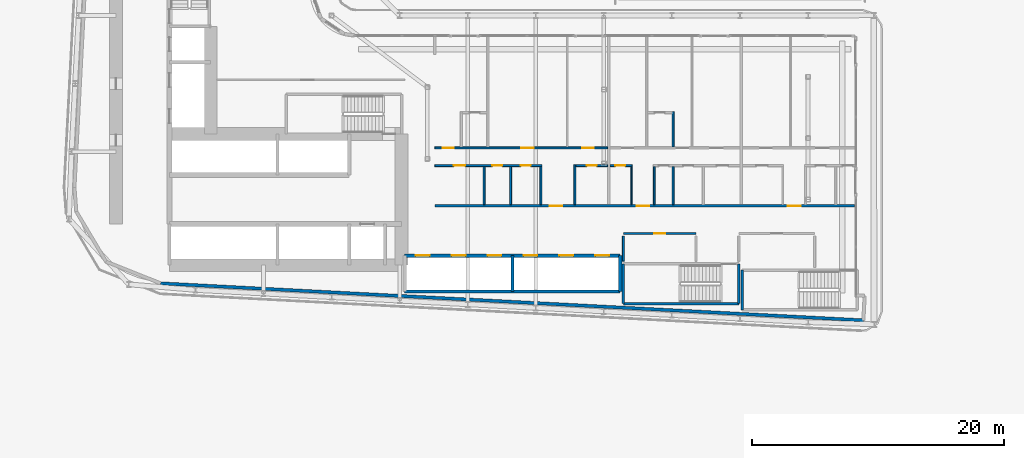
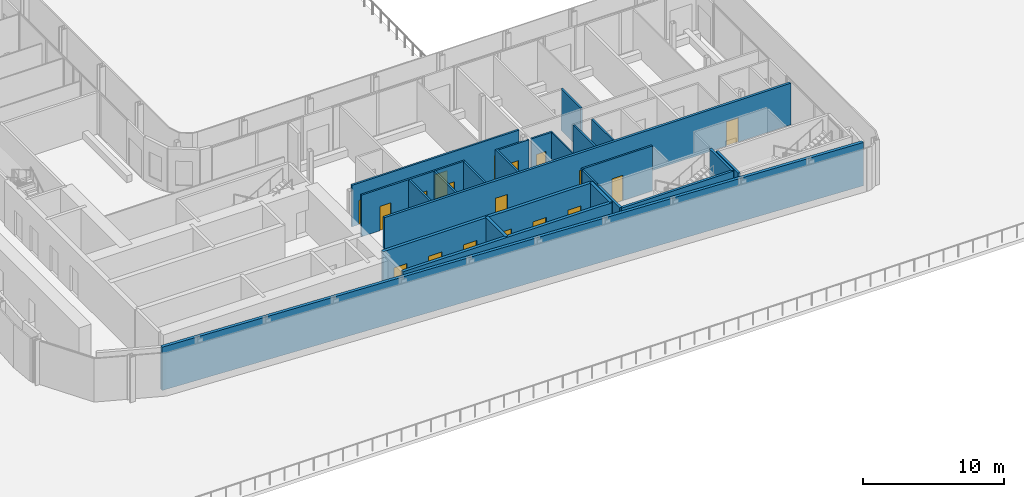
# One storey, part 14 of 27: 24 walls, 18 doors, 18 openings.
"""IFC4 building model written with IfcOpenShell, lengths in metres."""

from ifc_helpers import new_model, si_unit, direction, frame, frame_2d, origin, place, context, subcontext, project, spatial, rectangle, extrude, source, transform, mapped, material, layer, layer_set, type_object, element, fill, save


model = new_model("IFC4")

# Units and contexts
model_context = context("Model", 3, precision=1e-05, world=origin(), true_north=direction((0.0, 1.0)))
body_context = subcontext(model_context, "Body", "Model", "MODEL_VIEW")
ifc_project = project(units=[si_unit("LENGTHUNIT", "METRE"), si_unit("AREAUNIT", "SQUARE_METRE"), si_unit("VOLUMEUNIT", "CUBIC_METRE"), si_unit("PLANEANGLEUNIT", "RADIAN"), si_unit("MASSUNIT", "GRAM", prefix="KILO")], contexts=[model_context])

# Site, building, storey
site_placement = place(None, origin())
site = spatial("IfcSite", under=ifc_project, at=site_placement, CompositionType="ELEMENT")
building_placement = place(site_placement, origin())
building = spatial("IfcBuilding", under=site, at=building_placement, Name="Kheshtan School and Residences Tower", CompositionType="ELEMENT")
storey_placement = place(building_placement, frame((0.0, 0.0, 30.5)))
storey = spatial("IfcBuildingStorey", under=building, at=storey_placement, Name="L06", CompositionType="ELEMENT", Elevation=30.5)

# Wall, openings, doors
ifc_material_1 = material(Name="Gypsum board on steel studs with fire boards", Category="steel")
ifc_layer_1 = layer(ifc_material_1, 0.199951171875)
ifc_layer_set_1 = layer_set([ifc_layer_1], Name="Corridor wall 200")
wall_type_1 = type_object("IfcWallType", Name="Corridor wall 200", PredefinedType="PARTITIONING", material=ifc_layer_set_1)
wall_1_placement = place(storey_placement, frame((55.800048828125, 30.5, 0.0), z_axis=(0.0, 0.0, 1.0), x_axis=(1.0, 0.0, 0.0)))
wall_1 = element("IfcWall", 1, at=wall_1_placement, inside=storey, type_object=wall_type_1, Name="Partition L06-045", PredefinedType="PARTITIONING", context=body_context, shape_type="SweptSolid", body=[
    extrude(rectangle(XDim=33.300048828125, YDim=0.199951171875, at=frame_2d((16.64990234375, 0.0))), origin(), (0.0, 0.0, 1.0), 3.60009765625),
])
opening_1_placement = place(wall_1_placement, frame((9.10009765625, 0.0, 0.0)))
opening_1 = element("IfcOpeningElement", 2, at=opening_1_placement, cuts=wall_1, Name="Opening D06-004", PredefinedType="OPENING", context=body_context, shape_type="SweptSolid", body=[
    extrude(rectangle(XDim=1.0, YDim=2.10009765625, at=frame_2d((0.5, 1.050048828125))), frame((0.0, 0.10986328125, 0.0), z_axis=(0.0, -1.0, 0.0), x_axis=(1.0, 0.0, 0.0)), (0.0, 0.0, 1.0), 0.219970703125),
])
opening_2_placement = place(wall_1_placement, frame((16.0, 0.0, 0.0)))
opening_2 = element("IfcOpeningElement", 3, at=opening_2_placement, cuts=wall_1, Name="Opening D06-013", PredefinedType="OPENING", context=body_context, shape_type="SweptSolid", body=[
    extrude(rectangle(XDim=1.0, YDim=2.10009765625, at=frame_2d((0.5, 1.050048828125))), frame((0.0, 0.10986328125, 0.0), z_axis=(0.0, -1.0, 0.0), x_axis=(1.0, 0.0, 0.0)), (0.0, 0.0, 1.0), 0.219970703125),
])
opening_3_placement = place(wall_1_placement, frame((28.0, 0.0, 0.0)))
opening_3 = element("IfcOpeningElement", 4, at=opening_3_placement, cuts=wall_1, Name="Opening D06-021", PredefinedType="OPENING", context=body_context, shape_type="SweptSolid", body=[
    extrude(rectangle(XDim=1.0, YDim=2.10009765625, at=frame_2d((0.5, 1.050048828125))), frame((0.0, 0.10986328125, 0.0), z_axis=(0.0, -1.0, 0.0), x_axis=(1.0, 0.0, 0.0)), (0.0, 0.0, 1.0), 0.219970703125),
])
ifc_material_2 = material(Name="Steel-framed fire-resisting door leaf", Category="steel")
door_type_1 = type_object("IfcDoorType", Name="Fire door FD30S 1000 x 2100", OperationType="SINGLE_SWING_LEFT", PredefinedType="DOOR", material=ifc_material_2)
shared_shape_1 = source(origin(), body_context, "Body", "SweptSolid", [
    extrude(rectangle(XDim=1.0, YDim=2.10009765625, at=frame_2d((0.5, 1.050048828125))), frame((0.0, 0.02490234375, 0.0), z_axis=(0.0, -1.0, 0.0), x_axis=(1.0, 0.0, 0.0)), (0.0, 0.0, 1.0), 0.050048828125),
])
door_1_placement = place(opening_1_placement, origin())
door_1 = element("IfcDoor", 5, at=door_1_placement, inside=storey, type_object=door_type_1, Name="Door D06-004", OperationType="SINGLE_SWING_LEFT", OverallHeight=2.10009765625, OverallWidth=1.0, PredefinedType="DOOR", context=body_context, shape_type="MappedRepresentation", body=[
    mapped(shared_shape_1, transform((0.0, 0.0, 0.0), x_axis=(1.0, 0.0, 0.0), y_axis=(0.0, 1.0, 0.0), z_axis=(0.0, 0.0, 1.0), scale=1.0)),
])
fill(opening_1, door_1)
door_2_placement = place(opening_2_placement, origin())
door_2 = element("IfcDoor", 6, at=door_2_placement, inside=storey, type_object=door_type_1, Name="Door D06-013", OperationType="SINGLE_SWING_RIGHT", OverallHeight=2.10009765625, OverallWidth=1.0, PredefinedType="DOOR", context=body_context, shape_type="MappedRepresentation", body=[
    mapped(shared_shape_1, transform((0.0, 0.0, 0.0), x_axis=(1.0, 0.0, 0.0), y_axis=(0.0, 1.0, 0.0), z_axis=(0.0, 0.0, 1.0), scale=1.0)),
])
fill(opening_2, door_2)
door_3_placement = place(opening_3_placement, origin())
door_3 = element("IfcDoor", 7, at=door_3_placement, inside=storey, type_object=door_type_1, Name="Door D06-021", OperationType="SINGLE_SWING_RIGHT", OverallHeight=2.10009765625, OverallWidth=1.0, PredefinedType="DOOR", context=body_context, shape_type="MappedRepresentation", body=[
    mapped(shared_shape_1, transform((0.0, 0.0, 0.0), x_axis=(1.0, 0.0, 0.0), y_axis=(0.0, 1.0, 0.0), z_axis=(0.0, 0.0, 1.0), scale=1.0)),
])
fill(opening_3, door_3)

# Walls
ifc_material_3 = material(Name="Concrete C40/50 with ceramic cladding and mineral wool insulation", Category="concrete")
ifc_layer_2 = layer(ifc_material_3, 0.25)
ifc_layer_set_2 = layer_set([ifc_layer_2], Name="External wall 250 ceramic clad")
wall_type_2 = type_object("IfcWallType", Name="External wall 250 ceramic clad", PredefinedType="SOLIDWALL", material=ifc_layer_set_2)
wall_2_placement = place(storey_placement, frame((89.785888671875, 21.4189453125, 0.0), z_axis=(0.0, 0.0, 1.0), x_axis=(-0.998617793089, 0.052559521752, 0.0)))
element("IfcWall", 8, at=wall_2_placement, inside=storey, type_object=wall_type_2, Name="External wall L06 16", PredefinedType="SOLIDWALL", context=body_context, shape_type="SweptSolid", body=[
    extrude(rectangle(XDim=55.823974609375, YDim=0.25, at=frame_2d((27.912109375, 0.0))), origin(), (0.0, 0.0, 1.0), 3.75),
])
ifc_material_4 = material(Name="Gypsum board on steel studs", Category="steel")
ifc_layer_3 = layer(ifc_material_4, 0.10009765625)
ifc_layer_set_3 = layer_set([ifc_layer_3], Name="Gypsum partition 100")
wall_type_3 = type_object("IfcWallType", Name="Gypsum partition 100", PredefinedType="PARTITIONING", material=ifc_layer_set_3)
wall_3_placement = place(storey_placement, frame((71.39990234375, 30.60009765625, 0.0), z_axis=(0.0, 0.0, 1.0), x_axis=(0.0, 1.0, 0.0)))
element("IfcWall", 9, at=wall_3_placement, inside=storey, type_object=wall_type_3, Name="Partition L06-061", PredefinedType="PARTITIONING", context=body_context, shape_type="SweptSolid", body=[
    extrude(rectangle(XDim=3.02490234375, YDim=0.10009765625, at=frame_2d((1.512451171875, 0.0))), origin(), (0.0, 0.0, 1.0), 3.60009765625),
])

# Wall, opening, door
ifc_material_5 = material(Name="Fire-board shaft wall system")
ifc_layer_4 = layer(ifc_material_5, 0.14990234375)
ifc_layer_set_4 = layer_set([ifc_layer_4], Name="Service room wall 150")
wall_type_4 = type_object("IfcWallType", Name="Service room wall 150", PredefinedType="PARTITIONING", material=ifc_layer_set_4)
wall_4_placement = place(storey_placement, frame((70.75, 28.300048828125, 0.0), z_axis=(0.0, 0.0, 1.0), x_axis=(1.0, 0.0, 0.0)))
wall_4 = element("IfcWall", 10, at=wall_4_placement, inside=storey, type_object=wall_type_4, Name="Service room wall", PredefinedType="PARTITIONING", context=body_context, shape_type="SweptSolid", body=[
    extrude(rectangle(XDim=5.760009765625, YDim=0.14990234375, at=frame_2d((2.8798828125, 0.0))), origin(), (0.0, 0.0, 1.0), 3.89990234375),
])
opening_4_placement = place(wall_4_placement, frame((2.429931640625, 0.0, 0.0)))
opening_4 = element("IfcOpeningElement", 11, at=opening_4_placement, cuts=wall_4, Name="Opening SR90", PredefinedType="OPENING", context=body_context, shape_type="SweptSolid", body=[
    extrude(rectangle(XDim=0.89990234375, YDim=2.199951171875, at=frame_2d((0.449951171875, 1.10009765625))), frame((0.0, 0.0849609375, 0.0), z_axis=(0.0, -1.0, 0.0), x_axis=(1.0, 0.0, 0.0)), (0.0, 0.0, 1.0), 0.169921875),
])
ifc_material_6 = material(Name="Steel door leaf, galvanised", Category="steel")
door_type_2 = type_object("IfcDoorType", Name="Service room door 900 steel 90 min", OperationType="SINGLE_SWING_LEFT", PredefinedType="DOOR", material=ifc_material_6)
shared_shape_2 = source(origin(), body_context, "Body", "SweptSolid", [
    extrude(rectangle(XDim=0.89990234375, YDim=2.199951171875, at=frame_2d((0.449951171875, 1.10009765625))), frame((0.0, 0.02490234375, 0.0), z_axis=(0.0, -1.0, 0.0), x_axis=(1.0, 0.0, 0.0)), (0.0, 0.0, 1.0), 0.050048828125),
])
door_4_placement = place(opening_4_placement, origin())
door_4 = element("IfcDoor", 12, at=door_4_placement, inside=storey, type_object=door_type_2, Name="Service room door", OperationType="SINGLE_SWING_LEFT", OverallHeight=2.199951171875, OverallWidth=0.89990234375, PredefinedType="DOOR", context=body_context, shape_type="MappedRepresentation", body=[
    mapped(shared_shape_2, transform((0.0, 0.0, 0.0), x_axis=(1.0, 0.0, 0.0), y_axis=(0.0, 1.0, 0.0), z_axis=(0.0, 0.0, 1.0), scale=1.0)),
])
fill(opening_4, door_4)

# Walls
wall_5_placement = place(storey_placement, frame((70.75, 26.1201171875, 0.0), z_axis=(0.0, 0.0, 1.0), x_axis=(0.0, 1.0, 0.0)))
element("IfcWall", 13, at=wall_5_placement, inside=storey, type_object=wall_type_4, Name="Service room wall", PredefinedType="PARTITIONING", context=body_context, shape_type="SweptSolid", body=[
    extrude(rectangle(XDim=1.98486328125, YDim=0.14990234375, at=frame_2d((0.992431640625, 0.0))), origin(), (0.0, 0.0, 1.0), 3.89990234375),
])
ifc_layer_5 = layer(ifc_material_5, 0.25)
ifc_layer_set_5 = layer_set([ifc_layer_5], Name="Shaft lining wall 250")
wall_type_5 = type_object("IfcWallType", Name="Shaft lining wall 250", PredefinedType="PARTITIONING", material=ifc_layer_set_5)
for number, where, z_axis, x_axis, name in (
    (14, (61.949951171875, 23.699951171875, 0.0), (0.0, 0.0, 1.0), (0.0, 1.0, 0.0), "Shaft lining wall"),
    (15, (70.5, 23.699951171875, 0.0), (0.0, 0.0, 1.0), (0.0, 1.0, 0.0), "Shaft lining wall"),
):
    element("IfcWall", number, at=place(storey_placement, frame(where, z_axis=z_axis, x_axis=x_axis)), inside=storey, type_object=wall_type_5, Name=name, PredefinedType="PARTITIONING", context=body_context, shape_type="SweptSolid", body=[
        extrude(rectangle(XDim=2.85009765625, YDim=0.25, at=frame_2d((1.425048828125, 0.0))), origin(), (0.0, 0.0, 1.0), 3.89990234375),
    ])
wall_6_placement = place(storey_placement, frame((53.39990234375, 23.699951171875, 0.0), z_axis=(0.0, 0.0, 1.0), x_axis=(1.0, 0.0, 0.0)))
element("IfcWall", 16, at=wall_6_placement, inside=storey, type_object=wall_type_5, Name="Shaft lining wall", PredefinedType="PARTITIONING", context=body_context, shape_type="SweptSolid", body=[
    extrude(rectangle(XDim=17.10009765625, YDim=0.25, at=frame_2d((8.550048828125, 0.0))), origin(), (0.0, 0.0, 1.0), 3.89990234375),
])

# Wall, openings, doors
wall_7_placement = place(storey_placement, frame((53.39990234375, 26.550048828125, 0.0), z_axis=(0.0, 0.0, 1.0), x_axis=(1.0, 0.0, 0.0)))
wall_7 = element("IfcWall", 17, at=wall_7_placement, inside=storey, type_object=wall_type_5, Name="Shaft lining wall", PredefinedType="PARTITIONING", context=body_context, shape_type="SweptSolid", body=[
    extrude(rectangle(XDim=17.10009765625, YDim=0.25, at=frame_2d((8.550048828125, 0.0))), origin(), (0.0, 0.0, 1.0), 3.89990234375),
])
opening_5_placement = place(wall_7_placement, frame((0.875, 0.0, 0.0)))
opening_5 = element("IfcOpeningElement", 18, at=opening_5_placement, cuts=wall_7, Name="Opening LD", PredefinedType="OPENING", context=body_context, shape_type="SweptSolid", body=[
    extrude(rectangle(XDim=1.10009765625, YDim=2.199951171875, at=frame_2d((0.550048828125, 1.10009765625))), frame((0.0, 0.135009765625, 0.0), z_axis=(0.0, -1.0, 0.0), x_axis=(1.0, 0.0, 0.0)), (0.0, 0.0, 1.0), 0.27001953125),
])
opening_6_placement = place(wall_7_placement, frame((3.72509765625, 0.0, 0.0)))
opening_6 = element("IfcOpeningElement", 19, at=opening_6_placement, cuts=wall_7, Name="Opening LD", PredefinedType="OPENING", context=body_context, shape_type="SweptSolid", body=[
    extrude(rectangle(XDim=1.10009765625, YDim=2.199951171875, at=frame_2d((0.550048828125, 1.10009765625))), frame((0.0, 0.135009765625, 0.0), z_axis=(0.0, -1.0, 0.0), x_axis=(1.0, 0.0, 0.0)), (0.0, 0.0, 1.0), 0.27001953125),
])
opening_7_placement = place(wall_7_placement, frame((6.574951171875, 0.0, 0.0)))
opening_7 = element("IfcOpeningElement", 20, at=opening_7_placement, cuts=wall_7, Name="Opening LD", PredefinedType="OPENING", context=body_context, shape_type="SweptSolid", body=[
    extrude(rectangle(XDim=1.10009765625, YDim=2.199951171875, at=frame_2d((0.550048828125, 1.10009765625))), frame((0.0, 0.135009765625, 0.0), z_axis=(0.0, -1.0, 0.0), x_axis=(1.0, 0.0, 0.0)), (0.0, 0.0, 1.0), 0.27001953125),
])
opening_8_placement = place(wall_7_placement, frame((9.425048828125, 0.0, 0.0)))
opening_8 = element("IfcOpeningElement", 21, at=opening_8_placement, cuts=wall_7, Name="Opening LD", PredefinedType="OPENING", context=body_context, shape_type="SweptSolid", body=[
    extrude(rectangle(XDim=1.10009765625, YDim=2.199951171875, at=frame_2d((0.550048828125, 1.10009765625))), frame((0.0, 0.135009765625, 0.0), z_axis=(0.0, -1.0, 0.0), x_axis=(1.0, 0.0, 0.0)), (0.0, 0.0, 1.0), 0.27001953125),
])
opening_9_placement = place(wall_7_placement, frame((12.27490234375, 0.0, 0.0)))
opening_9 = element("IfcOpeningElement", 22, at=opening_9_placement, cuts=wall_7, Name="Opening LD", PredefinedType="OPENING", context=body_context, shape_type="SweptSolid", body=[
    extrude(rectangle(XDim=1.10009765625, YDim=2.199951171875, at=frame_2d((0.550048828125, 1.10009765625))), frame((0.0, 0.135009765625, 0.0), z_axis=(0.0, -1.0, 0.0), x_axis=(1.0, 0.0, 0.0)), (0.0, 0.0, 1.0), 0.27001953125),
])
opening_10_placement = place(wall_7_placement, frame((15.125, 0.0, 0.0)))
opening_10 = element("IfcOpeningElement", 23, at=opening_10_placement, cuts=wall_7, Name="Opening LD", PredefinedType="OPENING", context=body_context, shape_type="SweptSolid", body=[
    extrude(rectangle(XDim=1.10009765625, YDim=2.199951171875, at=frame_2d((0.550048828125, 1.10009765625))), frame((0.0, 0.135009765625, 0.0), z_axis=(0.0, -1.0, 0.0), x_axis=(1.0, 0.0, 0.0)), (0.0, 0.0, 1.0), 0.27001953125),
])
ifc_material_7 = material(Name="Stainless steel door leaves", Category="steel")
door_type_3 = type_object("IfcDoorType", Name="Lift landing door 1100", OperationType="SLIDING_TO_LEFT", PredefinedType="DOOR", material=ifc_material_7)
shared_shape_3 = source(origin(), body_context, "Body", "SweptSolid", [
    extrude(rectangle(XDim=1.10009765625, YDim=2.199951171875, at=frame_2d((0.550048828125, 1.10009765625))), frame((0.0, 0.02490234375, 0.0), z_axis=(0.0, -1.0, 0.0), x_axis=(1.0, 0.0, 0.0)), (0.0, 0.0, 1.0), 0.050048828125),
])
door_5_placement = place(opening_5_placement, origin())
door_5 = element("IfcDoor", 24, at=door_5_placement, inside=storey, type_object=door_type_3, Name="Lift P1 landing door", OperationType="SLIDING_TO_LEFT", OverallHeight=2.199951171875, OverallWidth=1.10009765625, PredefinedType="DOOR", context=body_context, shape_type="MappedRepresentation", body=[
    mapped(shared_shape_3, transform((0.0, 0.0, 0.0), x_axis=(1.0, 0.0, 0.0), y_axis=(0.0, 1.0, 0.0), z_axis=(0.0, 0.0, 1.0), scale=1.0)),
])
fill(opening_5, door_5)
door_6_placement = place(opening_6_placement, origin())
door_6 = element("IfcDoor", 25, at=door_6_placement, inside=storey, type_object=door_type_3, Name="Lift P2 landing door", OperationType="SLIDING_TO_LEFT", OverallHeight=2.199951171875, OverallWidth=1.10009765625, PredefinedType="DOOR", context=body_context, shape_type="MappedRepresentation", body=[
    mapped(shared_shape_3, transform((0.0, 0.0, 0.0), x_axis=(1.0, 0.0, 0.0), y_axis=(0.0, 1.0, 0.0), z_axis=(0.0, 0.0, 1.0), scale=1.0)),
])
fill(opening_6, door_6)
door_7_placement = place(opening_7_placement, origin())
door_7 = element("IfcDoor", 26, at=door_7_placement, inside=storey, type_object=door_type_3, Name="Lift P3 landing door", OperationType="SLIDING_TO_LEFT", OverallHeight=2.199951171875, OverallWidth=1.10009765625, PredefinedType="DOOR", context=body_context, shape_type="MappedRepresentation", body=[
    mapped(shared_shape_3, transform((0.0, 0.0, 0.0), x_axis=(1.0, 0.0, 0.0), y_axis=(0.0, 1.0, 0.0), z_axis=(0.0, 0.0, 1.0), scale=1.0)),
])
fill(opening_7, door_7)
door_8_placement = place(opening_8_placement, origin())
door_8 = element("IfcDoor", 27, at=door_8_placement, inside=storey, type_object=door_type_3, Name="Lift P4 landing door", OperationType="SLIDING_TO_LEFT", OverallHeight=2.199951171875, OverallWidth=1.10009765625, PredefinedType="DOOR", context=body_context, shape_type="MappedRepresentation", body=[
    mapped(shared_shape_3, transform((0.0, 0.0, 0.0), x_axis=(1.0, 0.0, 0.0), y_axis=(0.0, 1.0, 0.0), z_axis=(0.0, 0.0, 1.0), scale=1.0)),
])
fill(opening_8, door_8)
door_9_placement = place(opening_9_placement, origin())
door_9 = element("IfcDoor", 28, at=door_9_placement, inside=storey, type_object=door_type_3, Name="Lift P5 landing door", OperationType="SLIDING_TO_LEFT", OverallHeight=2.199951171875, OverallWidth=1.10009765625, PredefinedType="DOOR", context=body_context, shape_type="MappedRepresentation", body=[
    mapped(shared_shape_3, transform((0.0, 0.0, 0.0), x_axis=(1.0, 0.0, 0.0), y_axis=(0.0, 1.0, 0.0), z_axis=(0.0, 0.0, 1.0), scale=1.0)),
])
fill(opening_9, door_9)
door_10_placement = place(opening_10_placement, origin())
door_10 = element("IfcDoor", 29, at=door_10_placement, inside=storey, type_object=door_type_3, Name="Lift P6 landing door", OperationType="SLIDING_TO_LEFT", OverallHeight=2.199951171875, OverallWidth=1.10009765625, PredefinedType="DOOR", context=body_context, shape_type="MappedRepresentation", body=[
    mapped(shared_shape_3, transform((0.0, 0.0, 0.0), x_axis=(1.0, 0.0, 0.0), y_axis=(0.0, 1.0, 0.0), z_axis=(0.0, 0.0, 1.0), scale=1.0)),
])
fill(opening_10, door_10)

# Walls
ifc_material_8 = material(Name="Concrete C40/50", Category="concrete")
ifc_layer_6 = layer(ifc_material_8, 0.199951171875)
ifc_layer_set_6 = layer_set([ifc_layer_6], Name="Stair enclosure wall 200 Concrete C40/50")
wall_type_6 = type_object("IfcWallType", Name="Stair enclosure wall 200 Concrete C40/50", PredefinedType="SHEAR", material=ifc_layer_set_6)
wall_8_placement = place(storey_placement, frame((80.159912109375, 22.25, 0.0), z_axis=(0.0, 0.0, 1.0), x_axis=(0.0, 1.0, 0.0)))
element("IfcWall", 30, at=wall_8_placement, inside=storey, type_object=wall_type_6, Name="Stair enclosure wall ST4", PredefinedType="SHEAR", context=body_context, shape_type="SweptSolid", body=[
    extrude(rectangle(XDim=3.14990234375, YDim=0.199951171875, at=frame_2d((1.574951171875, 0.0))), origin(), (0.0, 0.0, 1.0), 3.89990234375),
])
wall_9_placement = place(storey_placement, frame((70.75, 22.75, 0.0), z_axis=(0.0, 0.0, 1.0), x_axis=(1.0, 0.0, 0.0)))
element("IfcWall", 31, at=wall_9_placement, inside=storey, type_object=wall_type_6, Name="Stair enclosure wall ST5", PredefinedType="SHEAR", context=body_context, shape_type="SweptSolid", body=[
    extrude(rectangle(XDim=9.159912109375, YDim=0.199951171875, at=frame_2d((4.580078125, 0.0))), origin(), (0.0, 0.0, 1.0), 3.89990234375),
])
for number, where, z_axis, x_axis, name in (
    (32, (70.75, 22.75, 0.0), (0.0, 0.0, 1.0), (0.0, 1.0, 0.0), "Stair enclosure wall ST5"),
    (33, (79.909912109375, 22.75, 0.0), (0.0, 0.0, 1.0), (0.0, 1.0, 0.0), "Stair enclosure wall ST5"),
):
    element("IfcWall", number, at=place(storey_placement, frame(where, z_axis=z_axis, x_axis=x_axis)), inside=storey, type_object=wall_type_6, Name=name, PredefinedType="SHEAR", context=body_context, shape_type="SweptSolid", body=[
        extrude(rectangle(XDim=3.14990234375, YDim=0.199951171875, at=frame_2d((1.574951171875, 0.0))), origin(), (0.0, 0.0, 1.0), 3.89990234375),
    ])

# Wall, openings, doors
ifc_material_9 = material(Name="Moisture-resistant gypsum board on steel studs", Category="steel")
ifc_layer_7 = layer(ifc_material_9, 0.14990234375)
ifc_layer_set_7 = layer_set([ifc_layer_7], Name="Wet-room partition 150")
wall_type_7 = type_object("IfcWallType", Name="Wet-room partition 150", PredefinedType="PARTITIONING", material=ifc_layer_set_7)
wall_10_placement = place(storey_placement, frame((55.800048828125, 33.699951171875, 0.0), z_axis=(0.0, 0.0, 1.0), x_axis=(1.0, 0.0, 0.0)))
wall_10 = element("IfcWall", 34, at=wall_10_placement, inside=storey, type_object=wall_type_7, Name="Partition L06-046", PredefinedType="PARTITIONING", context=body_context, shape_type="SweptSolid", body=[
    extrude(rectangle(XDim=8.474853515625, YDim=0.14990234375, at=frame_2d((4.2373046875, 0.0))), origin(), (0.0, 0.0, 1.0), 3.60009765625),
])
opening_11_placement = place(wall_10_placement, frame((1.5, 0.0, 0.0)))
opening_11 = element("IfcOpeningElement", 35, at=opening_11_placement, cuts=wall_10, Name="Opening D06-005", PredefinedType="OPENING", context=body_context, shape_type="SweptSolid", body=[
    extrude(rectangle(XDim=0.89990234375, YDim=2.10009765625, at=frame_2d((0.449951171875, 1.050048828125))), frame((0.0, 0.0849609375, 0.0), z_axis=(0.0, -1.0, 0.0), x_axis=(1.0, 0.0, 0.0)), (0.0, 0.0, 1.0), 0.169921875),
])
opening_12_placement = place(wall_10_placement, frame((6.800048828125, 0.0, 0.0)))
opening_12 = element("IfcOpeningElement", 36, at=opening_12_placement, cuts=wall_10, Name="Opening D06-006", PredefinedType="OPENING", context=body_context, shape_type="SweptSolid", body=[
    extrude(rectangle(XDim=0.800048828125, YDim=2.10009765625, at=frame_2d((0.39990234375, 1.050048828125))), frame((0.0, 0.0849609375, 0.0), z_axis=(0.0, -1.0, 0.0), x_axis=(1.0, 0.0, 0.0)), (0.0, 0.0, 1.0), 0.169921875),
])
opening_13_placement = place(wall_10_placement, frame((4.550048828125, 0.0, 0.0)))
opening_13 = element("IfcOpeningElement", 37, at=opening_13_placement, cuts=wall_10, Name="Opening D06-009", PredefinedType="OPENING", context=body_context, shape_type="SweptSolid", body=[
    extrude(rectangle(XDim=0.800048828125, YDim=2.10009765625, at=frame_2d((0.39990234375, 1.050048828125))), frame((0.0, 0.0849609375, 0.0), z_axis=(0.0, -1.0, 0.0), x_axis=(1.0, 0.0, 0.0)), (0.0, 0.0, 1.0), 0.169921875),
])
ifc_material_10 = material(Name="Veneered timber door leaf", Category="wood")
door_type_4 = type_object("IfcDoorType", Name="Door 800 x 2100", OperationType="SINGLE_SWING_LEFT", PredefinedType="DOOR", material=ifc_material_10)
shared_shape_4 = source(origin(), body_context, "Body", "SweptSolid", [
    extrude(rectangle(XDim=0.800048828125, YDim=2.10009765625, at=frame_2d((0.39990234375, 1.050048828125))), frame((0.0, 0.02490234375, 0.0), z_axis=(0.0, -1.0, 0.0), x_axis=(1.0, 0.0, 0.0)), (0.0, 0.0, 1.0), 0.050048828125),
])
door_11_placement = place(opening_12_placement, origin())
door_11 = element("IfcDoor", 38, at=door_11_placement, inside=storey, type_object=door_type_4, Name="Door D06-006", OperationType="SINGLE_SWING_LEFT", OverallHeight=2.10009765625, OverallWidth=0.800048828125, PredefinedType="DOOR", context=body_context, shape_type="MappedRepresentation", body=[
    mapped(shared_shape_4, transform((0.0, 0.0, 0.0), x_axis=(1.0, 0.0, 0.0), y_axis=(0.0, 1.0, 0.0), z_axis=(0.0, 0.0, 1.0), scale=1.0)),
])
fill(opening_12, door_11)
door_12_placement = place(opening_13_placement, origin())
door_12 = element("IfcDoor", 39, at=door_12_placement, inside=storey, type_object=door_type_4, Name="Door D06-009", OperationType="SINGLE_SWING_LEFT", OverallHeight=2.10009765625, OverallWidth=0.800048828125, PredefinedType="DOOR", context=body_context, shape_type="MappedRepresentation", body=[
    mapped(shared_shape_4, transform((0.0, 0.0, 0.0), x_axis=(1.0, 0.0, 0.0), y_axis=(0.0, 1.0, 0.0), z_axis=(0.0, 0.0, 1.0), scale=1.0)),
])
fill(opening_13, door_12)
door_type_5 = type_object("IfcDoorType", Name="Door 900 x 2100", OperationType="SINGLE_SWING_LEFT", PredefinedType="DOOR", material=ifc_material_10)
shared_shape_5 = source(origin(), body_context, "Body", "SweptSolid", [
    extrude(rectangle(XDim=0.89990234375, YDim=2.10009765625, at=frame_2d((0.449951171875, 1.050048828125))), frame((0.0, 0.02490234375, 0.0), z_axis=(0.0, -1.0, 0.0), x_axis=(1.0, 0.0, 0.0)), (0.0, 0.0, 1.0), 0.050048828125),
])
door_13_placement = place(opening_11_placement, origin())
door_13 = element("IfcDoor", 40, at=door_13_placement, inside=storey, type_object=door_type_5, Name="Door D06-005", OperationType="SINGLE_SWING_LEFT", OverallHeight=2.10009765625, OverallWidth=0.89990234375, PredefinedType="DOOR", context=body_context, shape_type="MappedRepresentation", body=[
    mapped(shared_shape_5, transform((0.0, 0.0, 0.0), x_axis=(1.0, 0.0, 0.0), y_axis=(0.0, 1.0, 0.0), z_axis=(0.0, 0.0, 1.0), scale=1.0)),
])
fill(opening_11, door_13)

wall_11_placement = place(storey_placement, frame((55.800048828125, 35.10009765625, 0.0), z_axis=(0.0, 0.0, 1.0), x_axis=(1.0, 0.0, 0.0)))
wall_11 = element("IfcWall", 41, at=wall_11_placement, inside=storey, type_object=wall_type_7, Name="Partition L06-047", PredefinedType="PARTITIONING", context=body_context, shape_type="SweptSolid", body=[
    extrude(rectangle(XDim=13.699951171875, YDim=0.14990234375, at=frame_2d((6.85009765625, 0.0))), origin(), (0.0, 0.0, 1.0), 3.60009765625),
])
opening_14_placement = place(wall_11_placement, frame((11.699951171875, 0.0, 0.0)))
opening_14 = element("IfcOpeningElement", 42, at=opening_14_placement, cuts=wall_11, Name="Opening D06-002", PredefinedType="OPENING", context=body_context, shape_type="SweptSolid", body=[
    extrude(rectangle(XDim=0.89990234375, YDim=2.10009765625, at=frame_2d((0.449951171875, 1.050048828125))), frame((0.0, 0.0849609375, 0.0), z_axis=(0.0, -1.0, 0.0), x_axis=(1.0, 0.0, 0.0)), (0.0, 0.0, 1.0), 0.169921875),
])
opening_15_placement = place(wall_11_placement, frame((6.85009765625, 0.0, 0.0)))
opening_15 = element("IfcOpeningElement", 43, at=opening_15_placement, cuts=wall_11, Name="Opening D06-007", PredefinedType="OPENING", context=body_context, shape_type="SweptSolid", body=[
    extrude(rectangle(XDim=1.0, YDim=2.10009765625, at=frame_2d((0.5, 1.050048828125))), frame((0.0, 0.0849609375, 0.0), z_axis=(0.0, -1.0, 0.0), x_axis=(1.0, 0.0, 0.0)), (0.0, 0.0, 1.0), 0.169921875),
])
opening_16_placement = place(wall_11_placement, frame((0.60009765625, 0.0, 0.0)))
opening_16 = element("IfcOpeningElement", 44, at=opening_16_placement, cuts=wall_11, Name="Opening D06-008", PredefinedType="OPENING", context=body_context, shape_type="SweptSolid", body=[
    extrude(rectangle(XDim=0.89990234375, YDim=2.10009765625, at=frame_2d((0.449951171875, 1.050048828125))), frame((0.0, 0.0849609375, 0.0), z_axis=(0.0, -1.0, 0.0), x_axis=(1.0, 0.0, 0.0)), (0.0, 0.0, 1.0), 0.169921875),
])
door_type_6 = type_object("IfcDoorType", Name="Door 1000 x 2100", OperationType="SINGLE_SWING_LEFT", PredefinedType="DOOR", material=ifc_material_10)
shared_shape_6 = source(origin(), body_context, "Body", "SweptSolid", [
    extrude(rectangle(XDim=1.0, YDim=2.10009765625, at=frame_2d((0.5, 1.050048828125))), frame((0.0, 0.02490234375, 0.0), z_axis=(0.0, -1.0, 0.0), x_axis=(1.0, 0.0, 0.0)), (0.0, 0.0, 1.0), 0.050048828125),
])
door_14_placement = place(opening_15_placement, origin())
door_14 = element("IfcDoor", 45, at=door_14_placement, inside=storey, type_object=door_type_6, Name="Door D06-007", OperationType="SINGLE_SWING_LEFT", OverallHeight=2.10009765625, OverallWidth=1.0, PredefinedType="DOOR", context=body_context, shape_type="MappedRepresentation", body=[
    mapped(shared_shape_6, transform((0.0, 0.0, 0.0), x_axis=(1.0, 0.0, 0.0), y_axis=(0.0, 1.0, 0.0), z_axis=(0.0, 0.0, 1.0), scale=1.0)),
])
fill(opening_15, door_14)
door_15_placement = place(opening_14_placement, origin())
door_15 = element("IfcDoor", 46, at=door_15_placement, inside=storey, type_object=door_type_5, Name="Door D06-002", OperationType="SINGLE_SWING_LEFT", OverallHeight=2.10009765625, OverallWidth=0.89990234375, PredefinedType="DOOR", context=body_context, shape_type="MappedRepresentation", body=[
    mapped(shared_shape_5, transform((0.0, 0.0, 0.0), x_axis=(1.0, 0.0, 0.0), y_axis=(0.0, 1.0, 0.0), z_axis=(0.0, 0.0, 1.0), scale=1.0)),
])
fill(opening_14, door_15)
door_16_placement = place(opening_16_placement, origin())
door_16 = element("IfcDoor", 47, at=door_16_placement, inside=storey, type_object=door_type_5, Name="Door D06-008", OperationType="SINGLE_SWING_LEFT", OverallHeight=2.10009765625, OverallWidth=0.89990234375, PredefinedType="DOOR", context=body_context, shape_type="MappedRepresentation", body=[
    mapped(shared_shape_5, transform((0.0, 0.0, 0.0), x_axis=(1.0, 0.0, 0.0), y_axis=(0.0, 1.0, 0.0), z_axis=(0.0, 0.0, 1.0), scale=1.0)),
])
fill(opening_16, door_16)

# Walls
for number, where, z_axis, x_axis, name in (
    (48, (59.699951171875, 30.60009765625, 0.0), (0.0, 0.0, 1.0), (0.0, 1.0, 0.0), "Partition L06-051"),
    (49, (61.800048828125, 30.60009765625, 0.0), (0.0, 0.0, 1.0), (0.0, 1.0, 0.0), "Partition L06-053"),
    (50, (64.199951171875, 30.60009765625, 0.0), (0.0, 0.0, 1.0), (0.0, 1.0, 0.0), "Partition L06-054"),
):
    element("IfcWall", number, at=place(storey_placement, frame(where, z_axis=z_axis, x_axis=x_axis)), inside=storey, type_object=wall_type_7, Name=name, PredefinedType="PARTITIONING", context=body_context, shape_type="SweptSolid", body=[
        extrude(rectangle(XDim=3.02490234375, YDim=0.14990234375, at=frame_2d((1.512451171875, 0.0))), origin(), (0.0, 0.0, 1.0), 3.60009765625),
    ])
wall_12_placement = place(storey_placement, frame((66.89990234375, 30.60009765625, 0.0), z_axis=(0.0, 0.0, 1.0), x_axis=(0.0, 1.0, 0.0)))
element("IfcWall", 51, at=wall_12_placement, inside=storey, type_object=wall_type_7, Name="Partition L06-056", PredefinedType="PARTITIONING", context=body_context, shape_type="SweptSolid", body=[
    extrude(rectangle(XDim=3.1748046875, YDim=0.14990234375, at=frame_2d((1.58740234375, 0.0))), origin(), (0.0, 0.0, 1.0), 3.60009765625),
])

# Wall, opening, door
wall_13_placement = place(storey_placement, frame((66.97509765625, 33.699951171875, 0.0), z_axis=(0.0, 0.0, 1.0), x_axis=(1.0, 0.0, 0.0)))
wall_13 = element("IfcWall", 52, at=wall_13_placement, inside=storey, type_object=wall_type_7, Name="Partition L06-057", PredefinedType="PARTITIONING", context=body_context, shape_type="SweptSolid", body=[
    extrude(rectangle(XDim=2.52490234375, YDim=0.14990234375, at=frame_2d((1.262451171875, 0.0))), origin(), (0.0, 0.0, 1.0), 3.60009765625),
])
opening_17_placement = place(wall_13_placement, frame((0.875, 0.0, 0.0)))
opening_17 = element("IfcOpeningElement", 53, at=opening_17_placement, cuts=wall_13, Name="Opening D06-001", PredefinedType="OPENING", context=body_context, shape_type="SweptSolid", body=[
    extrude(rectangle(XDim=0.800048828125, YDim=2.10009765625, at=frame_2d((0.39990234375, 1.050048828125))), frame((0.0, 0.0849609375, 0.0), z_axis=(0.0, -1.0, 0.0), x_axis=(1.0, 0.0, 0.0)), (0.0, 0.0, 1.0), 0.169921875),
])
door_17_placement = place(opening_17_placement, origin())
door_17 = element("IfcDoor", 54, at=door_17_placement, inside=storey, type_object=door_type_4, Name="Door D06-001", OperationType="SINGLE_SWING_RIGHT", OverallHeight=2.10009765625, OverallWidth=0.800048828125, PredefinedType="DOOR", context=body_context, shape_type="MappedRepresentation", body=[
    mapped(shared_shape_4, transform((0.0, 0.0, 0.0), x_axis=(1.0, 0.0, 0.0), y_axis=(0.0, 1.0, 0.0), z_axis=(0.0, 0.0, 1.0), scale=1.0)),
])
fill(opening_17, door_17)

wall_14_placement = place(storey_placement, frame((69.699951171875, 33.699951171875, 0.0), z_axis=(0.0, 0.0, 1.0), x_axis=(1.0, 0.0, 0.0)))
wall_14 = element("IfcWall", 55, at=wall_14_placement, inside=storey, type_object=wall_type_7, Name="Partition L06-059", PredefinedType="PARTITIONING", context=body_context, shape_type="SweptSolid", body=[
    extrude(rectangle(XDim=1.75, YDim=0.14990234375, at=frame_2d((0.875, 0.0))), origin(), (0.0, 0.0, 1.0), 3.60009765625),
])
opening_18_placement = place(wall_14_placement, frame((0.39990234375, 0.0, 0.0)))
opening_18 = element("IfcOpeningElement", 56, at=opening_18_placement, cuts=wall_14, Name="Opening D06-017", PredefinedType="OPENING", context=body_context, shape_type="SweptSolid", body=[
    extrude(rectangle(XDim=0.800048828125, YDim=2.10009765625, at=frame_2d((0.39990234375, 1.050048828125))), frame((0.0, 0.0849609375, 0.0), z_axis=(0.0, -1.0, 0.0), x_axis=(1.0, 0.0, 0.0)), (0.0, 0.0, 1.0), 0.169921875),
])
door_18_placement = place(opening_18_placement, origin())
door_18 = element("IfcDoor", 57, at=door_18_placement, inside=storey, type_object=door_type_4, Name="Door D06-017", OperationType="SINGLE_SWING_LEFT", OverallHeight=2.10009765625, OverallWidth=0.800048828125, PredefinedType="DOOR", context=body_context, shape_type="MappedRepresentation", body=[
    mapped(shared_shape_4, transform((0.0, 0.0, 0.0), x_axis=(1.0, 0.0, 0.0), y_axis=(0.0, 1.0, 0.0), z_axis=(0.0, 0.0, 1.0), scale=1.0)),
])
fill(opening_18, door_18)

# Walls
for number, where, z_axis, x_axis, name in (
    (58, (73.199951171875, 30.60009765625, 0.0), (0.0, 0.0, 1.0), (0.0, 1.0, 0.0), "Partition L06-065"),
    (59, (74.699951171875, 30.60009765625, 0.0), (0.0, 0.0, 1.0), (0.0, 1.0, 0.0), "Partition L06-066"),
):
    element("IfcWall", number, at=place(storey_placement, frame(where, z_axis=z_axis, x_axis=x_axis)), inside=storey, type_object=wall_type_7, Name=name, PredefinedType="PARTITIONING", context=body_context, shape_type="SweptSolid", body=[
        extrude(rectangle(XDim=3.02490234375, YDim=0.14990234375, at=frame_2d((1.512451171875, 0.0))), origin(), (0.0, 0.0, 1.0), 3.60009765625),
    ])
wall_15_placement = place(storey_placement, frame((74.699951171875, 35.175048828125, 0.0), z_axis=(0.0, 0.0, 1.0), x_axis=(0.0, 1.0, 0.0)))
element("IfcWall", 60, at=wall_15_placement, inside=storey, type_object=wall_type_7, Name="Partition L06-067", PredefinedType="PARTITIONING", context=body_context, shape_type="SweptSolid", body=[
    extrude(rectangle(XDim=2.800048828125, YDim=0.14990234375, at=frame_2d((1.39990234375, 0.0))), origin(), (0.0, 0.0, 1.0), 3.60009765625),
])

save(model, "model.ifc")
